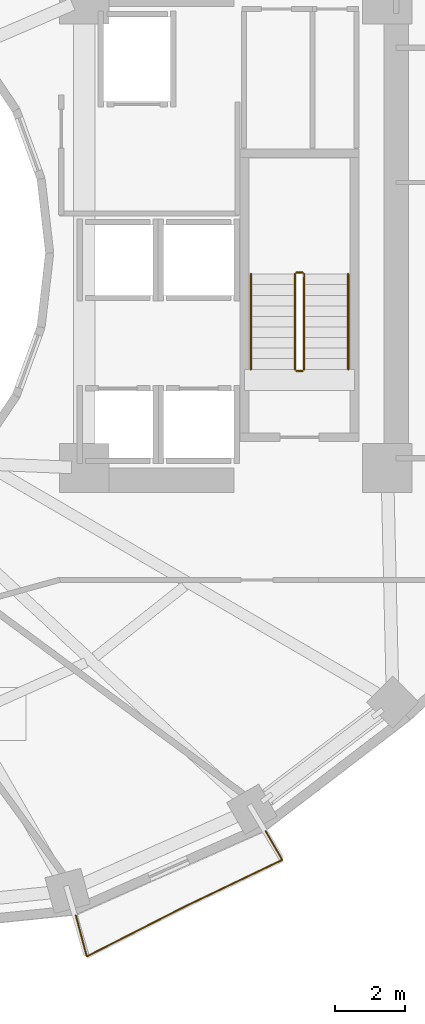
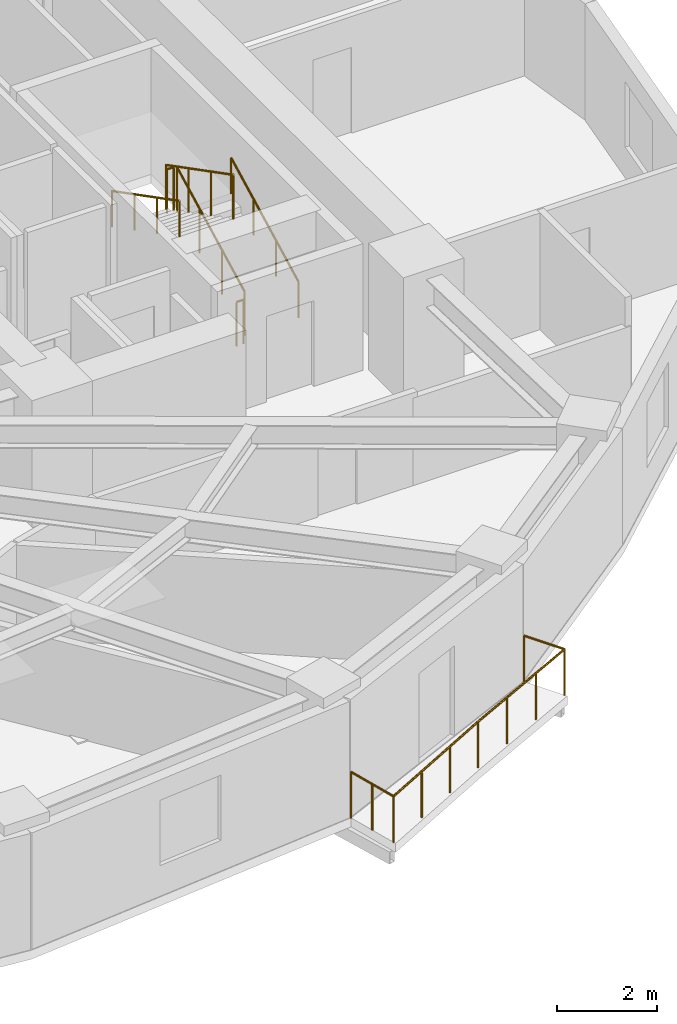
# One storey, part 9 of 10: 7 railings.
"""IFC4 building model written with IfcOpenShell, lengths in metres."""

from ifc_helpers import new_model, si_unit, direction, frame, origin, origin_2d, place, context, subcontext, project, spatial, circle, extrude, material, type_object, element, save


model = new_model("IFC4")

# Units and contexts
model_context = context("Model", 3, precision=1e-05, world=origin(), true_north=direction((0.0, 1.0)))
body_context = subcontext(model_context, "Body", "Model", "MODEL_VIEW")
ifc_project = project(units=[si_unit("LENGTHUNIT", "METRE"), si_unit("AREAUNIT", "SQUARE_METRE"), si_unit("VOLUMEUNIT", "CUBIC_METRE"), si_unit("PLANEANGLEUNIT", "RADIAN"), si_unit("MASSUNIT", "GRAM", prefix="KILO")], contexts=[model_context])

# Site, building, storey
site_placement = place(None, origin())
site = spatial("IfcSite", under=ifc_project, at=site_placement, CompositionType="ELEMENT")
building_placement = place(site_placement, origin())
building = spatial("IfcBuilding", under=site, at=building_placement, Name="Solvane Sanctuary Tower", CompositionType="ELEMENT")
storey_placement = place(building_placement, frame((0.0, 0.0, 107.300048828125)))
storey = spatial("IfcBuildingStorey", under=building, at=storey_placement, Name="L32", CompositionType="ELEMENT", Elevation=107.300048828125)

# Railings
ifc_material = material(Name="Architectural Stainless Steel 316", Category="steel")
railing_type_1 = type_object("IfcRailingType", Name="Railing GR-BALC-1150", PredefinedType="BALUSTRADE", material=ifc_material)
railing_1_placement = place(storey_placement, frame((39.861328125, 4.204833984375, 0.0)))
element("IfcRailing", 1, at=railing_1_placement, inside=storey, type_object=railing_type_1, Name="L32 Wave Balcony Balustrade S2", PredefinedType="BALUSTRADE", context=body_context, shape_type="SweptSolid", body=[
    extrude(circle(Radius=0.02392578125, at=origin_2d()), frame((0.0, 0.0, 1.1259765625), z_axis=(0.258921450808, -0.965898380945, 0.0), x_axis=(0.965898380945, 0.258921450808, 0.0)), (0.0, 0.0, 1.0), 1.20703125),
    extrude(circle(Radius=0.02392578125, at=origin_2d()), frame((0.3125, -1.165771484375, 1.1259765625), z_axis=(0.891029921961, 0.4539445761, 0.0), x_axis=(-0.4539445761, 0.891029921961, 0.0)), (0.0, 0.0, 1.0), 3.113525390625),
    extrude(circle(Radius=0.02392578125, at=origin_2d()), frame((3.086669921875, 0.24755859375, 1.1259765625), z_axis=(0.901983620234, 0.431770250052, 0.0), x_axis=(-0.431770250052, 0.901983620234, 0.0)), (0.0, 0.0, 1.0), 3.07373046875),
    extrude(circle(Radius=0.02392578125, at=origin_2d()), frame((5.859130859375, 1.57470703125, 1.1259765625), z_axis=(-0.499984077514, 0.866034596441, 0.0), x_axis=(-0.866034596441, -0.499984077514, 0.0)), (0.0, 0.0, 1.0), 0.9423828125),
    extrude(circle(Radius=0.02099609375, at=origin_2d()), origin(), (0.0, 0.0, 1.0), 1.101806640625),
    extrude(circle(Radius=0.02099609375, at=origin_2d()), frame((0.15625, -0.5830078125, 0.0)), (0.0, 0.0, 1.0), 1.101806640625),
    extrude(circle(Radius=0.02099609375, at=origin_2d()), frame((0.3125, -1.165771484375, 0.0)), (0.0, 0.0, 1.0), 1.101806640625),
    extrude(circle(Radius=0.02099609375, at=origin_2d()), frame((1.2373046875, -0.694580078125, 0.0)), (0.0, 0.0, 1.0), 1.101806640625),
    extrude(circle(Radius=0.02099609375, at=origin_2d()), frame((2.161865234375, -0.2236328125, 0.0)), (0.0, 0.0, 1.0), 1.101806640625),
    extrude(circle(Radius=0.02099609375, at=origin_2d()), frame((3.086669921875, 0.24755859375, 0.0)), (0.0, 0.0, 1.0), 1.101806640625),
    extrude(circle(Radius=0.02099609375, at=origin_2d()), frame((4.0107421875, 0.68994140625, 0.0)), (0.0, 0.0, 1.0), 1.101806640625),
    extrude(circle(Radius=0.02099609375, at=origin_2d()), frame((4.93505859375, 1.13232421875, 0.0)), (0.0, 0.0, 1.0), 1.101806640625),
    extrude(circle(Radius=0.02099609375, at=origin_2d()), frame((5.859130859375, 1.57470703125, 0.0)), (0.0, 0.0, 1.0), 1.101806640625),
    extrude(circle(Radius=0.02099609375, at=origin_2d()), frame((5.387939453125, 2.390869140625, 0.0)), (0.0, 0.0, 1.0), 1.101806640625),
])
railing_2_placement = place(storey_placement, frame((46.340087890625, 19.699951171875, 0.155029296875)))
element("IfcRailing", 2, at=railing_2_placement, inside=storey, type_object=railing_type_1, Name="L32 ST-2 stair guard 1", PredefinedType="BALUSTRADE", context=body_context, shape_type="SweptSolid", body=[
    extrude(circle(Radius=0.02392578125, at=origin_2d()), frame((0.0, 0.0, 1.076171875), z_axis=(0.0, 0.888419900624, 0.459031676658), x_axis=(-1.0, 0.0, 0.0)), (0.0, 0.0, 1.0), 3.0390625),
    extrude(circle(Radius=0.02099609375, at=origin_2d()), origin(), (0.0, 0.0, 1.0), 1.052001953125),
    extrude(circle(Radius=0.02099609375, at=origin_2d()), frame((0.0, 0.89990234375, 0.465087890625)), (0.0, 0.0, 1.0), 1.052001953125),
    extrude(circle(Radius=0.02099609375, at=origin_2d()), frame((0.0, 1.800048828125, 0.929931640625)), (0.0, 0.0, 1.0), 1.052001953125),
    extrude(circle(Radius=0.02099609375, at=origin_2d()), frame((0.0, 2.699951171875, 1.39501953125)), (0.0, 0.0, 1.0), 1.052001953125),
])
railing_3_placement = place(storey_placement, frame((46.2900390625, 22.449951171875, 1.550048828125)))
element("IfcRailing", 3, at=railing_3_placement, inside=storey, type_object=railing_type_1, Name="L32 ST-2 stair guard 2", PredefinedType="BALUSTRADE", context=body_context, shape_type="SweptSolid", body=[
    extrude(circle(Radius=0.02392578125, at=origin_2d()), frame((0.0, 0.0, 1.076171875), z_axis=(-1.0, 0.0, 0.0), x_axis=(0.0, -1.0, 0.0)), (0.0, 0.0, 1.0), 0.16015625),
    extrude(circle(Radius=0.02099609375, at=origin_2d()), origin(), (0.0, 0.0, 1.0), 1.052001953125),
    extrude(circle(Radius=0.02099609375, at=origin_2d()), frame((-0.16015625, 0.0, 0.0)), (0.0, 0.0, 1.0), 1.052001953125),
])
railing_4_placement = place(storey_placement, frame((46.080078125, 22.39990234375, 1.704833984375)))
element("IfcRailing", 4, at=railing_4_placement, inside=storey, type_object=railing_type_1, Name="L32 ST-2 stair guard 3", PredefinedType="BALUSTRADE", context=body_context, shape_type="SweptSolid", body=[
    extrude(circle(Radius=0.02392578125, at=origin_2d()), frame((0.0, 0.0, 1.076171875), z_axis=(0.0, -0.888419900624, 0.459031676658), x_axis=(1.0, 0.0, 0.0)), (0.0, 0.0, 1.0), 3.0390625),
    extrude(circle(Radius=0.02099609375, at=origin_2d()), origin(), (0.0, 0.0, 1.0), 1.052001953125),
    extrude(circle(Radius=0.02099609375, at=origin_2d()), frame((0.0, -0.89990234375, 0.465087890625)), (0.0, 0.0, 1.0), 1.052001953125),
    extrude(circle(Radius=0.02099609375, at=origin_2d()), frame((0.0, -1.800048828125, 0.929931640625)), (0.0, 0.0, 1.0), 1.052001953125),
    extrude(circle(Radius=0.02099609375, at=origin_2d()), frame((0.0, -2.699951171875, 1.39501953125)), (0.0, 0.0, 1.0), 1.052001953125),
])
railing_5_placement = place(storey_placement, frame((46.2900390625, 19.64990234375, 0.0)))
element("IfcRailing", 5, at=railing_5_placement, inside=storey, type_object=railing_type_1, Name="L32 ST-2 stair guard 4", PredefinedType="BALUSTRADE", context=body_context, shape_type="SweptSolid", body=[
    extrude(circle(Radius=0.02392578125, at=origin_2d()), frame((0.0, 0.0, 1.076171875), z_axis=(-1.0, 0.0, 0.0), x_axis=(0.0, -1.0, 0.0)), (0.0, 0.0, 1.0), 0.16015625),
    extrude(circle(Radius=0.02099609375, at=origin_2d()), origin(), (0.0, 0.0, 1.0), 1.052001953125),
    extrude(circle(Radius=0.02099609375, at=origin_2d()), frame((-0.16015625, 0.0, 0.0)), (0.0, 0.0, 1.0), 1.052001953125),
])
railing_type_2 = type_object("IfcRailingType", Name="Railing HR-STAIR-920", PredefinedType="HANDRAIL", material=ifc_material)
railing_6_placement = place(storey_placement, frame((47.590087890625, 19.699951171875, 0.155029296875)))
element("IfcRailing", 6, at=railing_6_placement, inside=storey, type_object=railing_type_2, Name="L32 ST-2 stair handrail 1", PredefinedType="HANDRAIL", context=body_context, shape_type="SweptSolid", body=[
    extrude(circle(Radius=0.02392578125, at=origin_2d()), frame((0.0, 0.0, 0.8759765625), z_axis=(0.0, 0.888419900624, 0.459031676658), x_axis=(-1.0, 0.0, 0.0)), (0.0, 0.0, 1.0), 3.0390625),
    extrude(circle(Radius=0.02099609375, at=origin_2d()), origin(), (0.0, 0.0, 1.0), 0.851806640625),
    extrude(circle(Radius=0.02099609375, at=origin_2d()), frame((0.0, 0.89990234375, 0.465087890625)), (0.0, 0.0, 1.0), 0.851806640625),
    extrude(circle(Radius=0.02099609375, at=origin_2d()), frame((0.0, 1.800048828125, 0.929931640625)), (0.0, 0.0, 1.0), 0.851806640625),
    extrude(circle(Radius=0.02099609375, at=origin_2d()), frame((0.0, 2.699951171875, 1.39501953125)), (0.0, 0.0, 1.0), 0.851806640625),
])
railing_7_placement = place(storey_placement, frame((44.830078125, 22.39990234375, 1.704833984375)))
element("IfcRailing", 7, at=railing_7_placement, inside=storey, type_object=railing_type_2, Name="L32 ST-2 stair handrail 2", PredefinedType="HANDRAIL", context=body_context, shape_type="SweptSolid", body=[
    extrude(circle(Radius=0.02392578125, at=origin_2d()), frame((0.0, 0.0, 0.8759765625), z_axis=(0.0, -0.888419900624, 0.459031676658), x_axis=(1.0, 0.0, 0.0)), (0.0, 0.0, 1.0), 3.0390625),
    extrude(circle(Radius=0.02099609375, at=origin_2d()), origin(), (0.0, 0.0, 1.0), 0.851806640625),
    extrude(circle(Radius=0.02099609375, at=origin_2d()), frame((0.0, -0.89990234375, 0.465087890625)), (0.0, 0.0, 1.0), 0.851806640625),
    extrude(circle(Radius=0.02099609375, at=origin_2d()), frame((0.0, -1.800048828125, 0.929931640625)), (0.0, 0.0, 1.0), 0.851806640625),
    extrude(circle(Radius=0.02099609375, at=origin_2d()), frame((0.0, -2.699951171875, 1.39501953125)), (0.0, 0.0, 1.0), 0.851806640625),
])

save(model, "model.ifc")
